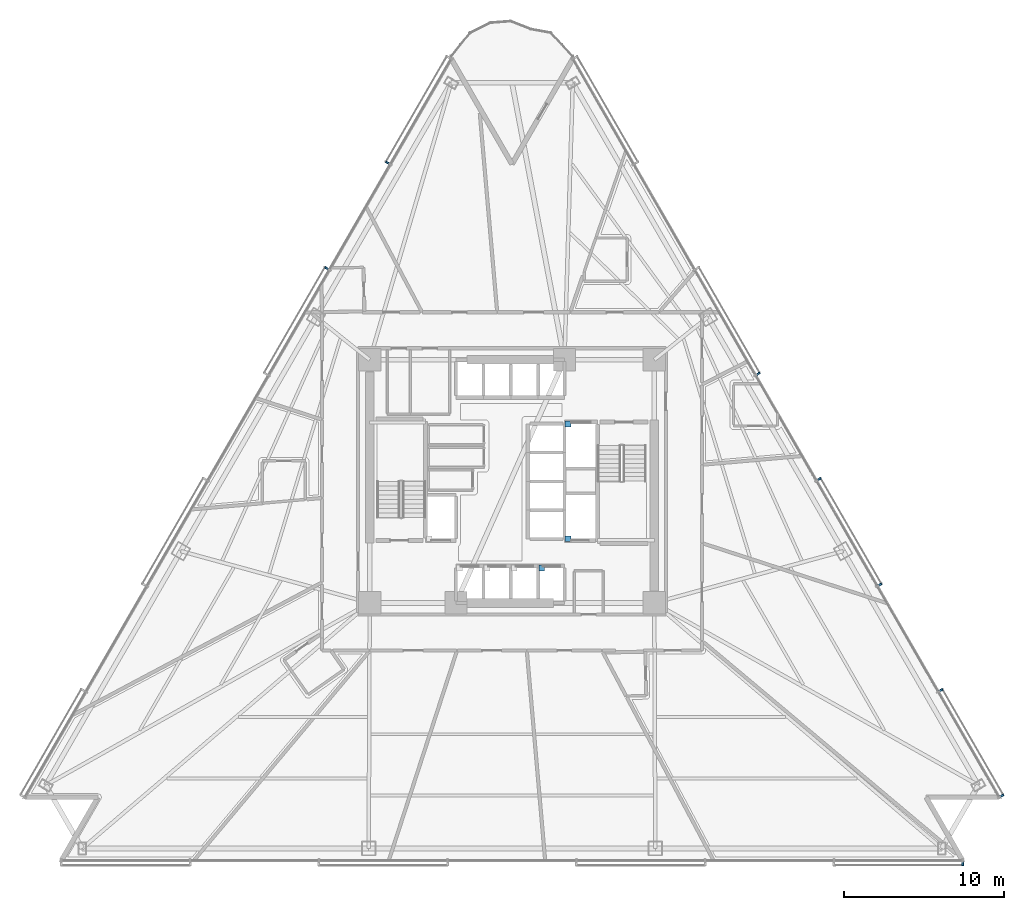
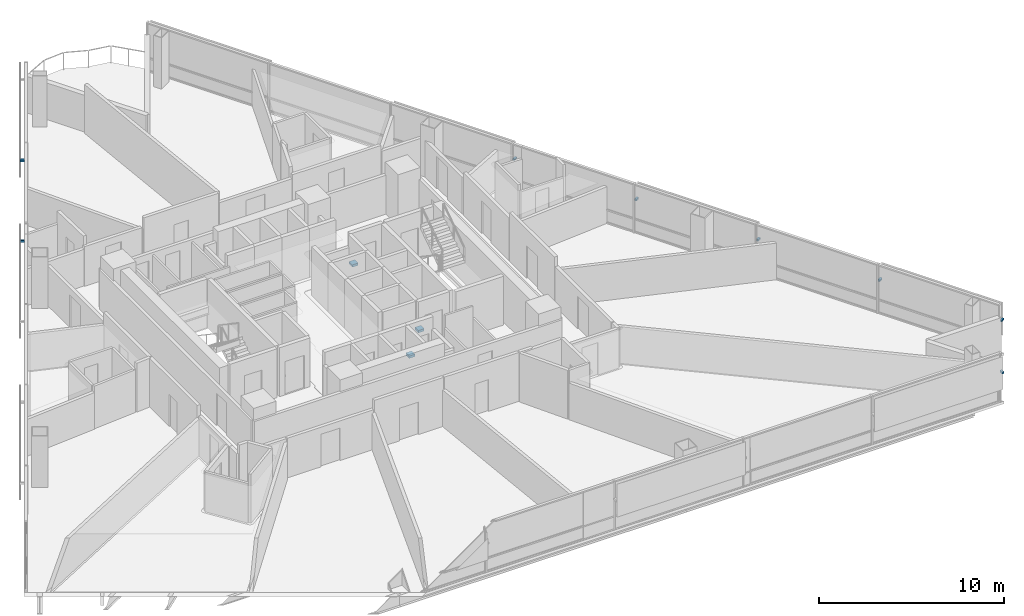
# One storey, part 12 of 18: 11 discrete accessories.
"""IFC4 building model written with IfcOpenShell, lengths in metres."""

from ifc_helpers import new_model, si_unit, direction, frame, origin, origin_2d, place, context, subcontext, project, spatial, rectangle, extrude, material, type_object, element, save


model = new_model("IFC4")

# Units and contexts
model_context = context("Model", 3, precision=1e-05, world=origin(), true_north=direction((0.0, 1.0)))
body_context = subcontext(model_context, "Body", "Model", "MODEL_VIEW")
ifc_project = project(units=[si_unit("LENGTHUNIT", "METRE"), si_unit("AREAUNIT", "SQUARE_METRE"), si_unit("VOLUMEUNIT", "CUBIC_METRE"), si_unit("PLANEANGLEUNIT", "RADIAN"), si_unit("MASSUNIT", "GRAM", prefix="KILO")], contexts=[model_context])

# Site, building, storey
site_placement = place(None, origin())
site = spatial("IfcSite", under=ifc_project, at=site_placement, CompositionType="ELEMENT")
building_placement = place(site_placement, origin())
building = spatial("IfcBuilding", under=site, at=building_placement, Name="Tharavind Bronze Gate", CompositionType="ELEMENT")
storey_placement = place(building_placement, frame((0.0, 0.0, 38.64990234375)))
storey = spatial("IfcBuildingStorey", under=building, at=storey_placement, Name="L08", CompositionType="ELEMENT", Elevation=38.64990234375)

# Discrete accessories
ifc_material_1 = material(Name="Galvanised Steel S355", Category="steel")
discrete_accessory_type_1 = type_object("IfcDiscreteAccessoryType", Name="LIFT GUIDE RAIL BRACKET", PredefinedType="BRACKET", material=ifc_material_1)
for number, where, z_axis, x_axis, name in (
    (1, (1.857421875, -5.419921875, 1.1201171875), (0.0, 0.0, 1.0), (1.0, 0.0, 0.0), "Lift PL4 guide rail bracket at L08"),
    (2, (3.5, 3.580078125, 1.1201171875), (0.0, 0.0, 1.0), (1.0, 0.0, 0.0), "Lift FFL2 guide rail bracket at L08"),
    (3, (3.5, -3.580078125, 1.1201171875), (0.0, 0.0, 1.0), (1.0, 0.0, 0.0), "Lift SVL1 guide rail bracket at L08"),
):
    element("IfcDiscreteAccessory", number, at=place(storey_placement, frame(where, z_axis=z_axis, x_axis=x_axis)), inside=storey, type_object=discrete_accessory_type_1, Name=name, PredefinedType="BRACKET", context=body_context, shape_type="SweptSolid", body=[
        extrude(rectangle(XDim=0.360107421875, YDim=0.360107421875, at=origin_2d()), origin(), (0.0, 0.0, 1.0), 0.159912109375),
    ])
ifc_material_2 = material(Name="Stainless Steel 316", Category="steel")
discrete_accessory_type_2 = type_object("IfcDiscreteAccessoryType", Name="SOLAR SCREEN STANDOFF BRACKET", PredefinedType="BRACKET", material=ifc_material_2)
for number, where, z_axis, x_axis, name in (
    (4, (-7.78125, 19.922607421875, 2.00244140625), (0.0, 0.0, 1.0), (-0.500001511499, -0.866024531118, 0.0), "CW-L08-S1 solar screen bracket 1.2"),
    (5, (-11.589111328125, 13.326904296875, 2.00244140625), (0.0, 0.0, 1.0), (-0.500001511499, -0.866024531118, 0.0), "CW-L08-S1 solar screen bracket 3.1"),
    (6, (28.17578125, -23.89990234375, 2.00244140625), (0.0, 0.0, 1.0), (1.0, 0.0, 0.0), "CW-L08-S2 solar screen bracket 7.2"),
    (7, (30.62890625, -19.65087890625, 2.00244140625), (0.0, 0.0, 1.0), (-0.500001511499, 0.866024531118, 0.0), "CW-L08-S3 solar screen bracket 1.1"),
    (8, (26.821044921875, -13.055419921875, 2.00244140625), (0.0, 0.0, 1.0), (-0.500001511499, 0.866024531118, 0.0), "CW-L08-S3 solar screen bracket 1.2"),
    (9, (23.01318359375, -6.459716796875, 2.00244140625), (0.0, 0.0, 1.0), (-0.500001511499, 0.866024531118, 0.0), "CW-L08-S3 solar screen bracket 3.1"),
    (10, (19.205078125, 0.135986328125, 2.00244140625), (0.0, 0.0, 1.0), (-0.500001511499, 0.866024531118, 0.0), "CW-L08-S3 solar screen bracket 3.2"),
    (11, (15.397216796875, 6.7314453125, 2.00244140625), (0.0, 0.0, 1.0), (-0.500001511499, 0.866024531118, 0.0), "CW-L08-S3 solar screen bracket 5.1"),
):
    element("IfcDiscreteAccessory", number, at=place(storey_placement, frame(where, z_axis=z_axis, x_axis=x_axis)), inside=storey, type_object=discrete_accessory_type_2, Name=name, PredefinedType="BRACKET", context=body_context, shape_type="SweptSolid", body=[
        extrude(rectangle(XDim=0.1201171875, YDim=0.239990234375, at=origin_2d()), origin(), (0.0, 0.0, 1.0), 0.1201171875),
    ])

save(model, "model.ifc")
